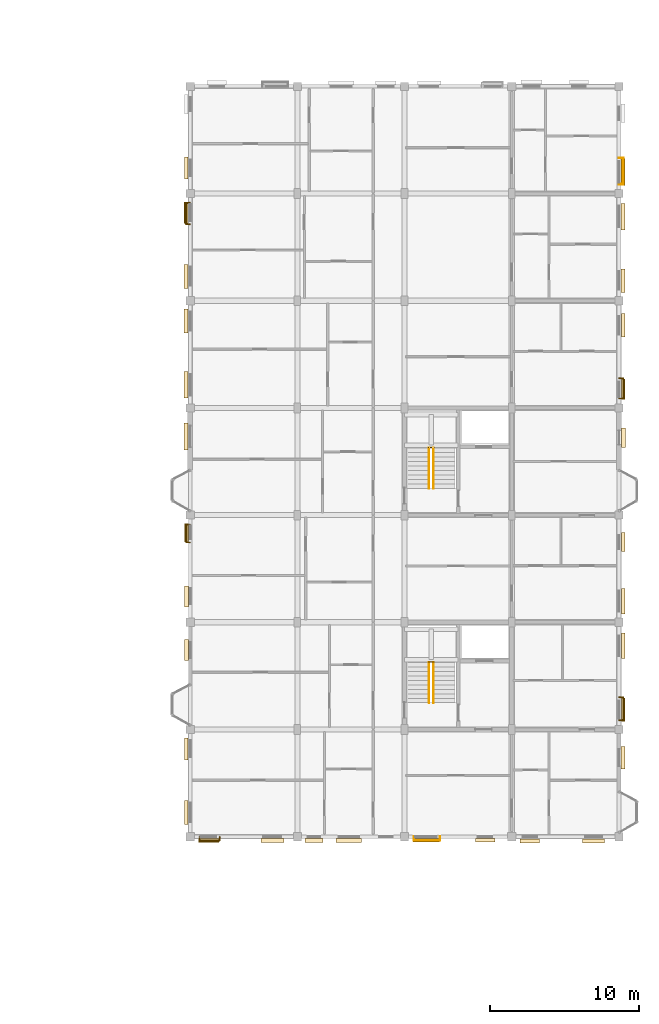
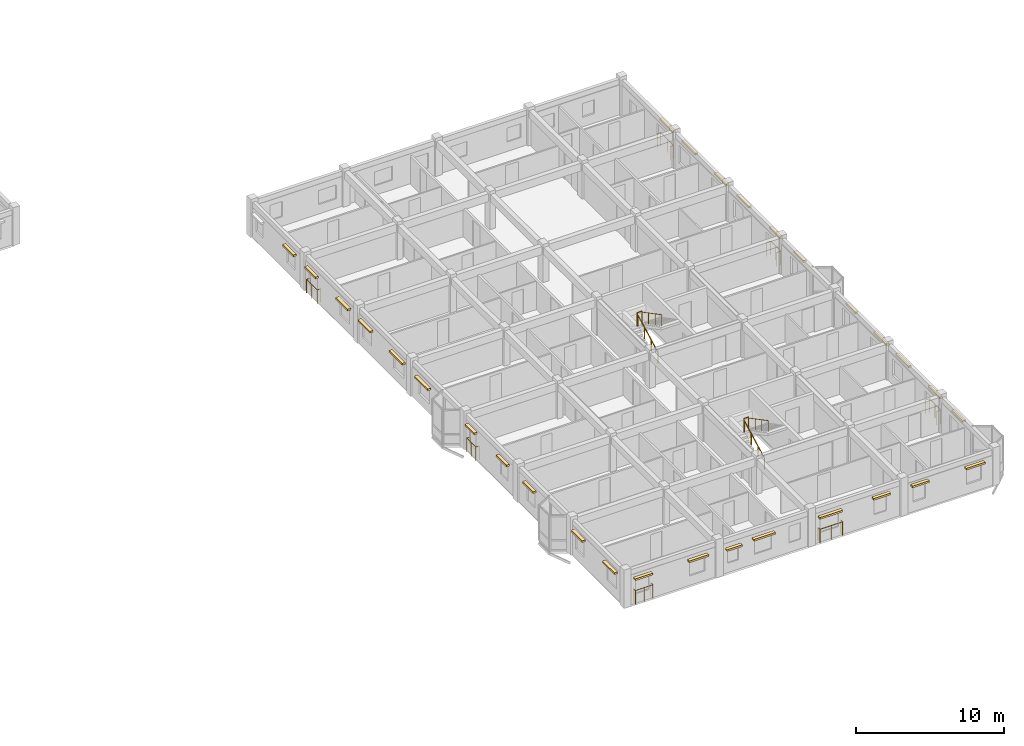
# One storey, part 76 of 79: 30 coverings, 13 railings.
"""IFC4 building model written with IfcOpenShell, lengths in metres."""

from ifc_helpers import new_model, si_unit, direction, frame, origin, origin_2d, place, context, subcontext, project, spatial, rectangle, circle, extrude, material, layer, layer_set, type_object, element, save


model = new_model("IFC4")

# Units and contexts
model_context = context("Model", 3, precision=1e-05, world=origin(), true_north=direction((0.0, 1.0)))
body_context = subcontext(model_context, "Body", "Model", "MODEL_VIEW")
ifc_project = project(units=[si_unit("LENGTHUNIT", "METRE"), si_unit("AREAUNIT", "SQUARE_METRE"), si_unit("VOLUMEUNIT", "CUBIC_METRE"), si_unit("PLANEANGLEUNIT", "RADIAN"), si_unit("MASSUNIT", "GRAM", prefix="KILO"), si_unit("THERMODYNAMICTEMPERATUREUNIT", "KELVIN"), si_unit("POWERUNIT", "WATT")], contexts=[model_context])

# Site, building, storey
site_placement = place(None, origin())
site = spatial("IfcSite", under=ifc_project, at=site_placement, CompositionType="ELEMENT")
building_placement = place(site_placement, origin())
building = spatial("IfcBuilding", under=site, at=building_placement, Name="Tavuni Mirador Residences", CompositionType="ELEMENT")
storey_placement = place(building_placement, frame((0.0, 0.0, 13.949951171875)))
storey = spatial("IfcBuildingStorey", under=building, at=storey_placement, Name="L04", CompositionType="ELEMENT", Elevation=13.949951171875)

# Coverings
ifc_material_1 = material(Name="Natural coral limestone", Category="masonry")
ifc_layer = layer(ifc_material_1, 0.054931640625, Name="Natural coral limestone", Category="masonry")
ifc_layer_set = layer_set([ifc_layer], Name="Natural coral limestone")
covering_type = type_object("IfcCoveringType", Name="CVT-CLAD-CORAL", PredefinedType="CLADDING", material=ifc_layer_set)
covering_1_placement = place(storey_placement, frame((91.2451171875, 86.140380859375, 2.065185546875), z_axis=(0.0, 0.0, 1.0), x_axis=(1.0, 0.0, 0.0)))
element("IfcCovering", 1, at=covering_1_placement, inside=storey, type_object=covering_type, Name="HOOD-0950", PredefinedType="CLADDING", context=body_context, shape_type="SweptSolid", body=[
    extrude(rectangle(XDim=1.3798828125, YDim=0.25, at=origin_2d()), origin(), (0.0, 0.0, 1.0), 0.14990234375),
])
covering_2_placement = place(storey_placement, frame((95.52490234375, 86.140380859375, 2.065185546875), z_axis=(0.0, 0.0, 1.0), x_axis=(1.0, 0.0, 0.0)))
element("IfcCovering", 2, at=covering_2_placement, inside=storey, type_object=covering_type, Name="HOOD-0951", PredefinedType="CLADDING", context=body_context, shape_type="SweptSolid", body=[
    extrude(rectangle(XDim=1.5400390625, YDim=0.25, at=origin_2d()), origin(), (0.0, 0.0, 1.0), 0.14990234375),
])
covering_3_placement = place(storey_placement, frame((98.3173828125, 86.150390625, 1.955078125), z_axis=(0.0, 0.0, 1.0), x_axis=(1.0, 0.0, 0.0)))
element("IfcCovering", 3, at=covering_3_placement, inside=storey, type_object=covering_type, Name="HOOD-0952", PredefinedType="CLADDING", context=body_context, shape_type="SweptSolid", body=[
    extrude(rectangle(XDim=1.18994140625, YDim=0.25, at=origin_2d()), origin(), (0.0, 0.0, 1.0), 0.14990234375),
])
covering_4_placement = place(storey_placement, frame((100.659912109375, 86.150390625, 2.065185546875), z_axis=(0.0, 0.0, 1.0), x_axis=(1.0, 0.0, 0.0)))
element("IfcCovering", 4, at=covering_4_placement, inside=storey, type_object=covering_type, Name="HOOD-0953", PredefinedType="CLADDING", context=body_context, shape_type="SweptSolid", body=[
    extrude(rectangle(XDim=1.699951171875, YDim=0.25, at=origin_2d()), origin(), (0.0, 0.0, 1.0), 0.14990234375),
])
covering_5_placement = place(storey_placement, frame((105.844970703125, 86.155517578125, 2.065185546875), z_axis=(0.0, 0.0, 1.0), x_axis=(1.0, 0.0, 0.0)))
element("IfcCovering", 5, at=covering_5_placement, inside=storey, type_object=covering_type, Name="HOOD-0954", PredefinedType="CLADDING", context=body_context, shape_type="SweptSolid", body=[
    extrude(rectangle(XDim=1.780029296875, YDim=0.25, at=origin_2d()), origin(), (0.0, 0.0, 1.0), 0.14990234375),
])
for number, where, z_axis, x_axis, name in (
    (6, (109.81494140625, 86.155517578125, 2.1650390625), (0.0, 0.0, 1.0), (1.0, 0.0, 0.0), "HOOD-0955"),
    (7, (112.81494140625, 86.113037109375, 2.1650390625), (0.0, 0.0, 1.0), (1.0, 0.0, 0.0), "HOOD-0956"),
):
    element("IfcCovering", number, at=place(storey_placement, frame(where, z_axis=z_axis, x_axis=x_axis)), inside=storey, type_object=covering_type, Name=name, PredefinedType="CLADDING", context=body_context, shape_type="SweptSolid", body=[
        extrude(rectangle(XDim=1.320068359375, YDim=0.25, at=origin_2d()), origin(), (0.0, 0.0, 1.0), 0.14990234375),
    ])
covering_6_placement = place(storey_placement, frame((117.094970703125, 86.113037109375, 2.1650390625), z_axis=(0.0, 0.0, 1.0), x_axis=(1.0, 0.0, 0.0)))
element("IfcCovering", 8, at=covering_6_placement, inside=storey, type_object=covering_type, Name="HOOD-0957", PredefinedType="CLADDING", context=body_context, shape_type="SweptSolid", body=[
    extrude(rectangle(XDim=1.47998046875, YDim=0.25, at=origin_2d()), origin(), (0.0, 0.0, 1.0), 0.14990234375),
])
covering_7_placement = place(storey_placement, frame((119.064453125, 91.70751953125, 2.16015625), z_axis=(0.0, 0.0, 1.0), x_axis=(0.0, 1.0, 0.0)))
element("IfcCovering", 9, at=covering_7_placement, inside=storey, type_object=covering_type, Name="HOOD-0958", PredefinedType="CLADDING", context=body_context, shape_type="SweptSolid", body=[
    extrude(rectangle(XDim=1.5, YDim=0.260009765625, at=origin_2d()), origin(), (0.0, 0.0, 1.0), 0.159912109375),
])
covering_8_placement = place(storey_placement, frame((119.094482421875, 94.93505859375, 2.1650390625), z_axis=(0.0, 0.0, 1.0), x_axis=(0.0, 1.0, 0.0)))
element("IfcCovering", 10, at=covering_8_placement, inside=storey, type_object=covering_type, Name="HOOD-0959", PredefinedType="CLADDING", context=body_context, shape_type="SweptSolid", body=[
    extrude(rectangle(XDim=1.56005859375, YDim=0.25, at=origin_2d()), origin(), (0.0, 0.0, 1.0), 0.14990234375),
])
for number, where, z_axis, x_axis, name in (
    (11, (119.094482421875, 99.215087890625, 2.1650390625), (0.0, 0.0, 1.0), (0.0, 1.0, 0.0), "HOOD-0960"),
    (12, (119.094482421875, 102.215087890625, 2.1650390625), (0.0, 0.0, 1.0), (0.0, 1.0, 0.0), "HOOD-0961"),
):
    element("IfcCovering", number, at=place(storey_placement, frame(where, z_axis=z_axis, x_axis=x_axis)), inside=storey, type_object=covering_type, Name=name, PredefinedType="CLADDING", context=body_context, shape_type="SweptSolid", body=[
        extrude(rectangle(XDim=1.719970703125, YDim=0.25, at=origin_2d()), origin(), (0.0, 0.0, 1.0), 0.14990234375),
    ])
covering_9_placement = place(storey_placement, frame((119.094482421875, 106.195068359375, 2.2451171875), z_axis=(0.0, 0.0, 1.0), x_axis=(0.0, 1.0, 0.0)))
element("IfcCovering", 13, at=covering_9_placement, inside=storey, type_object=covering_type, Name="HOOD-0962", PredefinedType="CLADDING", context=body_context, shape_type="SweptSolid", body=[
    extrude(rectangle(XDim=1.280029296875, YDim=0.25, at=origin_2d()), origin(), (0.0, 0.0, 1.0), 0.14990234375),
])
covering_10_placement = place(storey_placement, frame((119.099609375, 113.20751953125, 2.240234375), z_axis=(0.0, 0.0, 1.0), x_axis=(0.0, 1.0, 0.0)))
element("IfcCovering", 14, at=covering_10_placement, inside=storey, type_object=covering_type, Name="HOOD-0963", PredefinedType="CLADDING", context=body_context, shape_type="SweptSolid", body=[
    extrude(rectangle(XDim=1.300048828125, YDim=0.260009765625, at=origin_2d()), origin(), (0.0, 0.0, 1.0), 0.159912109375),
])
covering_11_placement = place(storey_placement, frame((119.094482421875, 116.449951171875, 2.2451171875), z_axis=(0.0, 0.0, 1.0), x_axis=(0.0, 1.0, 0.0)))
element("IfcCovering", 15, at=covering_11_placement, inside=storey, type_object=covering_type, Name="HOOD-0964", PredefinedType="CLADDING", context=body_context, shape_type="SweptSolid", body=[
    extrude(rectangle(XDim=1.389892578125, YDim=0.25, at=origin_2d()), origin(), (0.0, 0.0, 1.0), 0.14990234375),
])
for number, where, z_axis, x_axis, name in (
    (16, (119.094482421875, 120.75, 2.2451171875), (0.0, 0.0, 1.0), (0.0, 1.0, 0.0), "HOOD-0965"),
    (17, (119.074462890625, 123.75, 2.2451171875), (0.0, 0.0, 1.0), (0.0, 1.0, 0.0), "HOOD-0966"),
):
    element("IfcCovering", number, at=place(storey_placement, frame(where, z_axis=z_axis, x_axis=x_axis)), inside=storey, type_object=covering_type, Name=name, PredefinedType="CLADDING", context=body_context, shape_type="SweptSolid", body=[
        extrude(rectangle(XDim=1.590087890625, YDim=0.25, at=origin_2d()), origin(), (0.0, 0.0, 1.0), 0.14990234375),
    ])
for number, where, z_axis, x_axis, name in (
    (18, (119.074462890625, 128.050048828125, 2.2451171875), (0.0, 0.0, 1.0), (0.0, 1.0, 0.0), "HOOD-0967"),
    (19, (119.06689453125, 131.050048828125, 2.2451171875), (0.0, 0.0, 1.0), (0.0, 1.0, 0.0), "HOOD-0968"),
):
    element("IfcCovering", number, at=place(storey_placement, frame(where, z_axis=z_axis, x_axis=x_axis)), inside=storey, type_object=covering_type, Name=name, PredefinedType="CLADDING", context=body_context, shape_type="SweptSolid", body=[
        extrude(rectangle(XDim=1.7900390625, YDim=0.25, at=origin_2d()), origin(), (0.0, 0.0, 1.0), 0.14990234375),
    ])
for number, where, z_axis, x_axis, name in (
    (20, (89.73291015625, 131.31494140625, 2.065185546875), (0.0, 0.0, 1.0), (0.0, -1.0, 0.0), "HOOD-0979"),
    (21, (89.7255859375, 128.31494140625, 2.065185546875), (0.0, 0.0, 1.0), (0.0, -1.0, 0.0), "HOOD-0980"),
):
    element("IfcCovering", number, at=place(storey_placement, frame(where, z_axis=z_axis, x_axis=x_axis)), inside=storey, type_object=covering_type, Name=name, PredefinedType="CLADDING", context=body_context, shape_type="SweptSolid", body=[
        extrude(rectangle(XDim=1.4599609375, YDim=0.25, at=origin_2d()), origin(), (0.0, 0.0, 1.0), 0.14990234375),
    ])
for number, where, z_axis, x_axis, name in (
    (22, (89.7255859375, 124.034912109375, 2.065185546875), (0.0, 0.0, 1.0), (0.0, -1.0, 0.0), "HOOD-0981"),
    (23, (89.720458984375, 121.034912109375, 2.065185546875), (0.0, 0.0, 1.0), (0.0, -1.0, 0.0), "HOOD-0982"),
):
    element("IfcCovering", number, at=place(storey_placement, frame(where, z_axis=z_axis, x_axis=x_axis)), inside=storey, type_object=covering_type, Name=name, PredefinedType="CLADDING", context=body_context, shape_type="SweptSolid", body=[
        extrude(rectangle(XDim=1.6201171875, YDim=0.25, at=origin_2d()), origin(), (0.0, 0.0, 1.0), 0.14990234375),
    ])
covering_12_placement = place(storey_placement, frame((89.720458984375, 116.7548828125, 2.065185546875), z_axis=(0.0, 0.0, 1.0), x_axis=(0.0, -1.0, 0.0)))
element("IfcCovering", 24, at=covering_12_placement, inside=storey, type_object=covering_type, Name="HOOD-0983", PredefinedType="CLADDING", context=body_context, shape_type="SweptSolid", body=[
    extrude(rectangle(XDim=1.780029296875, YDim=0.25, at=origin_2d()), origin(), (0.0, 0.0, 1.0), 0.14990234375),
])
covering_13_placement = place(storey_placement, frame((89.7080078125, 113.282470703125, 2.06005859375), z_axis=(0.0, 0.0, 1.0), x_axis=(0.0, -1.0, 0.0)))
element("IfcCovering", 25, at=covering_13_placement, inside=storey, type_object=covering_type, Name="HOOD-0984", PredefinedType="CLADDING", context=body_context, shape_type="SweptSolid", body=[
    extrude(rectangle(XDim=1.800048828125, YDim=0.260009765625, at=origin_2d()), origin(), (0.0, 0.0, 1.0), 0.159912109375),
])
covering_14_placement = place(storey_placement, frame((89.755615234375, 106.824951171875, 2.1650390625), z_axis=(0.0, 0.0, 1.0), x_axis=(0.0, -1.0, 0.0)))
element("IfcCovering", 26, at=covering_14_placement, inside=storey, type_object=covering_type, Name="HOOD-0985", PredefinedType="CLADDING", context=body_context, shape_type="SweptSolid", body=[
    extrude(rectangle(XDim=1.239990234375, YDim=0.25, at=origin_2d()), origin(), (0.0, 0.0, 1.0), 0.14990234375),
])
covering_15_placement = place(storey_placement, frame((89.755615234375, 102.544921875, 2.1650390625), z_axis=(0.0, 0.0, 1.0), x_axis=(0.0, -1.0, 0.0)))
element("IfcCovering", 27, at=covering_15_placement, inside=storey, type_object=covering_type, Name="HOOD-0986", PredefinedType="CLADDING", context=body_context, shape_type="SweptSolid", body=[
    extrude(rectangle(XDim=1.39990234375, YDim=0.25, at=origin_2d()), origin(), (0.0, 0.0, 1.0), 0.14990234375),
])
covering_16_placement = place(storey_placement, frame((89.74560546875, 98.9326171875, 2.16015625), z_axis=(0.0, 0.0, 1.0), x_axis=(0.0, -1.0, 0.0)))
element("IfcCovering", 28, at=covering_16_placement, inside=storey, type_object=covering_type, Name="HOOD-0987", PredefinedType="CLADDING", context=body_context, shape_type="SweptSolid", body=[
    extrude(rectangle(XDim=1.419921875, YDim=0.260009765625, at=origin_2d()), origin(), (0.0, 0.0, 1.0), 0.159912109375),
])
covering_17_placement = place(storey_placement, frame((89.740478515625, 92.304931640625, 2.1650390625), z_axis=(0.0, 0.0, 1.0), x_axis=(0.0, -1.0, 0.0)))
element("IfcCovering", 29, at=covering_17_placement, inside=storey, type_object=covering_type, Name="HOOD-0988", PredefinedType="CLADDING", context=body_context, shape_type="SweptSolid", body=[
    extrude(rectangle(XDim=1.47998046875, YDim=0.25, at=origin_2d()), origin(), (0.0, 0.0, 1.0), 0.14990234375),
])
covering_18_placement = place(storey_placement, frame((89.740478515625, 88.02490234375, 2.1650390625), z_axis=(0.0, 0.0, 1.0), x_axis=(0.0, -1.0, 0.0)))
element("IfcCovering", 30, at=covering_18_placement, inside=storey, type_object=covering_type, Name="HOOD-0989", PredefinedType="CLADDING", context=body_context, shape_type="SweptSolid", body=[
    extrude(rectangle(XDim=1.639892578125, YDim=0.25, at=origin_2d()), origin(), (0.0, 0.0, 1.0), 0.14990234375),
])

# Railings
ifc_material_2 = material(Name="Structural steel S355", Category="steel")
railing_type_1 = type_object("IfcRailingType", Name="RT-BL1150", PredefinedType="BALUSTRADE", material=ifc_material_2)
railing_1_placement = place(storey_placement, frame((90.625, 86.39990234375, 0.0400390625)))
element("IfcRailing", 31, at=railing_1_placement, inside=storey, type_object=railing_type_1, Name="BALC-BLK-D-L04-S00", PredefinedType="BALUSTRADE", context=body_context, shape_type="SweptSolid", body=[
    extrude(circle(Radius=0.02392578125, at=origin_2d()), frame((0.0, 0.0, 1.1259765625), z_axis=(0.0, -1.0, 0.0), x_axis=(1.0, 0.0, 0.0)), (0.0, 0.0, 1.0), 0.27734375),
    extrude(circle(Radius=0.02392578125, at=origin_2d()), frame((0.0, -0.27734375, 1.1259765625), z_axis=(1.0, 0.0, 0.0), x_axis=(0.0, 1.0, 0.0)), (0.0, 0.0, 1.0), 1.360107421875),
    extrude(circle(Radius=0.02392578125, at=origin_2d()), frame((1.360107421875, -0.27734375, 1.1259765625), z_axis=(0.0, 1.0, 0.0), x_axis=(-1.0, 0.0, 0.0)), (0.0, 0.0, 1.0), 0.27734375),
    extrude(circle(Radius=0.02099609375, at=origin_2d()), origin(), (0.0, 0.0, 1.0), 1.101806640625),
    extrude(circle(Radius=0.02099609375, at=origin_2d()), frame((0.0, -0.27734375, 0.0)), (0.0, 0.0, 1.0), 1.101806640625),
    extrude(circle(Radius=0.02099609375, at=origin_2d()), frame((0.68017578125, -0.27734375, 0.0)), (0.0, 0.0, 1.0), 1.101806640625),
    extrude(circle(Radius=0.02099609375, at=origin_2d()), frame((1.360107421875, -0.27734375, 0.0)), (0.0, 0.0, 1.0), 1.101806640625),
    extrude(circle(Radius=0.02099609375, at=origin_2d()), frame((1.360107421875, 0.0, 0.0)), (0.0, 0.0, 1.0), 1.101806640625),
])
railing_2_placement = place(storey_placement, frame((105.02490234375, 86.39990234375, 0.0400390625)))
element("IfcRailing", 32, at=railing_2_placement, inside=storey, type_object=railing_type_1, Name="BALC-BLK-D-L04-S02", PredefinedType="BALUSTRADE", context=body_context, shape_type="SweptSolid", body=[
    extrude(circle(Radius=0.02392578125, at=origin_2d()), frame((0.0, 0.0, 1.1259765625), z_axis=(0.0, -1.0, 0.0), x_axis=(1.0, 0.0, 0.0)), (0.0, 0.0, 1.0), 0.262451171875),
    extrude(circle(Radius=0.02392578125, at=origin_2d()), frame((0.0, -0.262451171875, 1.1259765625), z_axis=(1.0, 0.0, 0.0), x_axis=(0.0, 1.0, 0.0)), (0.0, 0.0, 1.0), 1.760009765625),
    extrude(circle(Radius=0.02392578125, at=origin_2d()), frame((1.760009765625, -0.262451171875, 1.1259765625), z_axis=(0.0, 1.0, 0.0), x_axis=(-1.0, 0.0, 0.0)), (0.0, 0.0, 1.0), 0.262451171875),
    extrude(circle(Radius=0.02099609375, at=origin_2d()), origin(), (0.0, 0.0, 1.0), 1.101806640625),
    extrude(circle(Radius=0.02099609375, at=origin_2d()), frame((0.0, -0.262451171875, 0.0)), (0.0, 0.0, 1.0), 1.101806640625),
    extrude(circle(Radius=0.02099609375, at=origin_2d()), frame((0.8798828125, -0.262451171875, 0.0)), (0.0, 0.0, 1.0), 1.101806640625),
    extrude(circle(Radius=0.02099609375, at=origin_2d()), frame((1.760009765625, -0.262451171875, 0.0)), (0.0, 0.0, 1.0), 1.101806640625),
    extrude(circle(Radius=0.02099609375, at=origin_2d()), frame((1.760009765625, 0.0, 0.0)), (0.0, 0.0, 1.0), 1.101806640625),
])
railing_3_placement = place(storey_placement, frame((118.800048828125, 94.22509765625, 0.0400390625)))
element("IfcRailing", 33, at=railing_3_placement, inside=storey, type_object=railing_type_1, Name="BALC-BLK-D-L04-E01", PredefinedType="BALUSTRADE", context=body_context, shape_type="SweptSolid", body=[
    extrude(circle(Radius=0.02392578125, at=origin_2d()), frame((0.0, 0.0, 1.1259765625), z_axis=(1.0, 0.0, 0.0), x_axis=(0.0, 1.0, 0.0)), (0.0, 0.0, 1.0), 0.3125),
    extrude(circle(Radius=0.02392578125, at=origin_2d()), frame((0.3125, 0.0, 1.1259765625), z_axis=(0.0, 1.0, 0.0), x_axis=(-1.0, 0.0, 0.0)), (0.0, 0.0, 1.0), 1.539794921875),
    extrude(circle(Radius=0.02392578125, at=origin_2d()), frame((0.3125, 1.539794921875, 1.1259765625), z_axis=(-1.0, 0.0, 0.0), x_axis=(0.0, -1.0, 0.0)), (0.0, 0.0, 1.0), 0.3125),
    extrude(circle(Radius=0.02099609375, at=origin_2d()), origin(), (0.0, 0.0, 1.0), 1.101806640625),
    extrude(circle(Radius=0.02099609375, at=origin_2d()), frame((0.3125, 0.0, 0.0)), (0.0, 0.0, 1.0), 1.101806640625),
    extrude(circle(Radius=0.02099609375, at=origin_2d()), frame((0.3125, 0.77001953125, 0.0)), (0.0, 0.0, 1.0), 1.101806640625),
    extrude(circle(Radius=0.02099609375, at=origin_2d()), frame((0.3125, 1.539794921875, 0.0)), (0.0, 0.0, 1.0), 1.101806640625),
    extrude(circle(Radius=0.02099609375, at=origin_2d()), frame((0.0, 1.539794921875, 0.0)), (0.0, 0.0, 1.0), 1.101806640625),
])
railing_4_placement = place(storey_placement, frame((118.800048828125, 115.824951171875, 0.0400390625)))
element("IfcRailing", 34, at=railing_4_placement, inside=storey, type_object=railing_type_1, Name="BALC-BLK-D-L04-E04", PredefinedType="BALUSTRADE", context=body_context, shape_type="SweptSolid", body=[
    extrude(circle(Radius=0.02392578125, at=origin_2d()), frame((0.0, 0.0, 1.1259765625), z_axis=(1.0, 0.0, 0.0), x_axis=(0.0, 1.0, 0.0)), (0.0, 0.0, 1.0), 0.3125),
    extrude(circle(Radius=0.02392578125, at=origin_2d()), frame((0.3125, 0.0, 1.1259765625), z_axis=(0.0, 1.0, 0.0), x_axis=(-1.0, 0.0, 0.0)), (0.0, 0.0, 1.0), 1.3701171875),
    extrude(circle(Radius=0.02392578125, at=origin_2d()), frame((0.3125, 1.3701171875, 1.1259765625), z_axis=(-1.0, 0.0, 0.0), x_axis=(0.0, -1.0, 0.0)), (0.0, 0.0, 1.0), 0.3125),
    extrude(circle(Radius=0.02099609375, at=origin_2d()), origin(), (0.0, 0.0, 1.0), 1.101806640625),
    extrude(circle(Radius=0.02099609375, at=origin_2d()), frame((0.3125, 0.0, 0.0)), (0.0, 0.0, 1.0), 1.101806640625),
    extrude(circle(Radius=0.02099609375, at=origin_2d()), frame((0.3125, 0.68505859375, 0.0)), (0.0, 0.0, 1.0), 1.101806640625),
    extrude(circle(Radius=0.02099609375, at=origin_2d()), frame((0.3125, 1.3701171875, 0.0)), (0.0, 0.0, 1.0), 1.101806640625),
    extrude(circle(Radius=0.02099609375, at=origin_2d()), frame((0.0, 1.3701171875, 0.0)), (0.0, 0.0, 1.0), 1.101806640625),
])
railing_5_placement = place(storey_placement, frame((118.800048828125, 130.22509765625, 0.0400390625)))
element("IfcRailing", 35, at=railing_5_placement, inside=storey, type_object=railing_type_1, Name="BALC-BLK-D-L04-E06", PredefinedType="BALUSTRADE", context=body_context, shape_type="SweptSolid", body=[
    extrude(circle(Radius=0.02392578125, at=origin_2d()), frame((0.0, 0.0, 1.1259765625), z_axis=(1.0, 0.0, 0.0), x_axis=(0.0, 1.0, 0.0)), (0.0, 0.0, 1.0), 0.284912109375),
    extrude(circle(Radius=0.02392578125, at=origin_2d()), frame((0.284912109375, 0.0, 1.1259765625), z_axis=(0.0, 1.0, 0.0), x_axis=(-1.0, 0.0, 0.0)), (0.0, 0.0, 1.0), 1.77001953125),
    extrude(circle(Radius=0.02392578125, at=origin_2d()), frame((0.284912109375, 1.77001953125, 1.1259765625), z_axis=(-1.0, 0.0, 0.0), x_axis=(0.0, -1.0, 0.0)), (0.0, 0.0, 1.0), 0.284912109375),
    extrude(circle(Radius=0.02099609375, at=origin_2d()), origin(), (0.0, 0.0, 1.0), 1.101806640625),
    extrude(circle(Radius=0.02099609375, at=origin_2d()), frame((0.284912109375, 0.0, 0.0)), (0.0, 0.0, 1.0), 1.101806640625),
    extrude(circle(Radius=0.02099609375, at=origin_2d()), frame((0.284912109375, 0.885009765625, 0.0)), (0.0, 0.0, 1.0), 1.101806640625),
    extrude(circle(Radius=0.02099609375, at=origin_2d()), frame((0.284912109375, 1.77001953125, 0.0)), (0.0, 0.0, 1.0), 1.101806640625),
    extrude(circle(Radius=0.02099609375, at=origin_2d()), frame((0.0, 1.77001953125, 0.0)), (0.0, 0.0, 1.0), 1.101806640625),
])
railing_6_placement = place(storey_placement, frame((90.0, 128.97509765625, 0.0400390625)))
element("IfcRailing", 36, at=railing_6_placement, inside=storey, type_object=railing_type_1, Name="BALC-BLK-D-L04-W05", PredefinedType="BALUSTRADE", context=body_context, shape_type="SweptSolid", body=[
    extrude(circle(Radius=0.02392578125, at=origin_2d()), frame((0.0, 0.0, 1.1259765625), z_axis=(-1.0, 0.0, 0.0), x_axis=(0.0, -1.0, 0.0)), (0.0, 0.0, 1.0), 0.29248046875),
    extrude(circle(Radius=0.02392578125, at=origin_2d()), frame((-0.29248046875, 0.0, 1.1259765625), z_axis=(0.0, -1.0, 0.0), x_axis=(1.0, 0.0, 0.0)), (0.0, 0.0, 1.0), 1.440185546875),
    extrude(circle(Radius=0.02392578125, at=origin_2d()), frame((-0.29248046875, -1.440185546875, 1.1259765625), z_axis=(1.0, 0.0, 0.0), x_axis=(0.0, 1.0, 0.0)), (0.0, 0.0, 1.0), 0.29248046875),
    extrude(circle(Radius=0.02099609375, at=origin_2d()), origin(), (0.0, 0.0, 1.0), 1.101806640625),
    extrude(circle(Radius=0.02099609375, at=origin_2d()), frame((-0.29248046875, 0.0, 0.0)), (0.0, 0.0, 1.0), 1.101806640625),
    extrude(circle(Radius=0.02099609375, at=origin_2d()), frame((-0.29248046875, -0.72021484375, 0.0)), (0.0, 0.0, 1.0), 1.101806640625),
    extrude(circle(Radius=0.02099609375, at=origin_2d()), frame((-0.29248046875, -1.440185546875, 0.0)), (0.0, 0.0, 1.0), 1.101806640625),
    extrude(circle(Radius=0.02099609375, at=origin_2d()), frame((0.0, -1.440185546875, 0.0)), (0.0, 0.0, 1.0), 1.101806640625),
])
railing_7_placement = place(storey_placement, frame((90.0, 107.375, 0.0400390625)))
element("IfcRailing", 37, at=railing_7_placement, inside=storey, type_object=railing_type_1, Name="BALC-BLK-D-L04-W02", PredefinedType="BALUSTRADE", context=body_context, shape_type="SweptSolid", body=[
    extrude(circle(Radius=0.02392578125, at=origin_2d()), frame((0.0, 0.0, 1.1259765625), z_axis=(-1.0, 0.0, 0.0), x_axis=(0.0, -1.0, 0.0)), (0.0, 0.0, 1.0), 0.262451171875),
    extrude(circle(Radius=0.02392578125, at=origin_2d()), frame((-0.262451171875, 0.0, 1.1259765625), z_axis=(0.0, -1.0, 0.0), x_axis=(1.0, 0.0, 0.0)), (0.0, 0.0, 1.0), 1.219970703125),
    extrude(circle(Radius=0.02392578125, at=origin_2d()), frame((-0.262451171875, -1.219970703125, 1.1259765625), z_axis=(1.0, 0.0, 0.0), x_axis=(0.0, 1.0, 0.0)), (0.0, 0.0, 1.0), 0.262451171875),
    extrude(circle(Radius=0.02099609375, at=origin_2d()), origin(), (0.0, 0.0, 1.0), 1.101806640625),
    extrude(circle(Radius=0.02099609375, at=origin_2d()), frame((-0.262451171875, 0.0, 0.0)), (0.0, 0.0, 1.0), 1.101806640625),
    extrude(circle(Radius=0.02099609375, at=origin_2d()), frame((-0.262451171875, -0.60986328125, 0.0)), (0.0, 0.0, 1.0), 1.101806640625),
    extrude(circle(Radius=0.02099609375, at=origin_2d()), frame((-0.262451171875, -1.219970703125, 0.0)), (0.0, 0.0, 1.0), 1.101806640625),
    extrude(circle(Radius=0.02099609375, at=origin_2d()), frame((0.0, -1.219970703125, 0.0)), (0.0, 0.0, 1.0), 1.101806640625),
])
railing_type_2 = type_object("IfcRailingType", Name="RT-GR1120", PredefinedType="GUARDRAIL", material=ifc_material_2)
for number, where, name in (
    (38, (106.02001953125, 98.139892578125, 1.574951171875), "GRD-HL-ST7-L04"),
    (39, (106.02001953125, 112.5400390625, 1.574951171875), "GRD-HL-ST8-L04"),
):
    element("IfcRailing", number, at=place(storey_placement, frame(where)), inside=storey, type_object=railing_type_2, Name=name, PredefinedType="GUARDRAIL", context=body_context, shape_type="SweptSolid", body=[
        extrude(circle(Radius=0.02392578125, at=origin_2d()), frame((0.0, 0.0, 1.09619140625), z_axis=(1.0, 0.0, 0.0), x_axis=(0.0, 1.0, 0.0)), (0.0, 0.0, 1.0), 0.35986328125),
        extrude(circle(Radius=0.02099609375, at=origin_2d()), origin(), (0.0, 0.0, 1.0), 1.072021484375),
        extrude(circle(Radius=0.02099609375, at=origin_2d()), frame((0.35986328125, 0.0, 0.0)), (0.0, 0.0, 1.0), 1.072021484375),
    ])
railing_type_3 = type_object("IfcRailingType", Name="RT-HR920", PredefinedType="HANDRAIL", material=ifc_material_2)
railing_8_placement = place(storey_placement, frame((106.050048828125, 95.39990234375, 0.157470703125)))
element("IfcRailing", 40, at=railing_8_placement, inside=storey, type_object=railing_type_3, Name="HR-ST7-L04-F1", PredefinedType="HANDRAIL", context=body_context, shape_type="SweptSolid", body=[
    extrude(circle(Radius=0.02392578125, at=origin_2d()), frame((0.0, 0.0, 0.89599609375), z_axis=(0.0, 0.885414376231, 0.464802519747), x_axis=(-1.0, 0.0, 0.0)), (0.0, 0.0, 1.0), 3.049560546875),
    extrude(circle(Radius=0.02099609375, at=origin_2d()), origin(), (0.0, 0.0, 1.0), 0.871826171875),
    extrude(circle(Radius=0.02099609375, at=origin_2d()), frame((0.0, 0.900146484375, 0.472412109375)), (0.0, 0.0, 1.0), 0.871826171875),
    extrude(circle(Radius=0.02099609375, at=origin_2d()), frame((0.0, 1.800048828125, 0.945068359375)), (0.0, 0.0, 1.0), 0.871826171875),
    extrude(circle(Radius=0.02099609375, at=origin_2d()), frame((0.0, 2.7001953125, 1.41748046875)), (0.0, 0.0, 1.0), 0.871826171875),
])
railing_9_placement = place(storey_placement, frame((106.35009765625, 98.10009765625, 1.732666015625)))
element("IfcRailing", 41, at=railing_9_placement, inside=storey, type_object=railing_type_3, Name="HR-ST7-L04-F2", PredefinedType="HANDRAIL", context=body_context, shape_type="SweptSolid", body=[
    extrude(circle(Radius=0.02392578125, at=origin_2d()), frame((0.0, 0.0, 0.89599609375), z_axis=(0.0, -0.885414376231, 0.464802519747), x_axis=(1.0, 0.0, 0.0)), (0.0, 0.0, 1.0), 3.049560546875),
    extrude(circle(Radius=0.02099609375, at=origin_2d()), origin(), (0.0, 0.0, 1.0), 0.871826171875),
    extrude(circle(Radius=0.02099609375, at=origin_2d()), frame((0.0, -0.900146484375, 0.472412109375)), (0.0, 0.0, 1.0), 0.871826171875),
    extrude(circle(Radius=0.02099609375, at=origin_2d()), frame((0.0, -1.800048828125, 0.945068359375)), (0.0, 0.0, 1.0), 0.871826171875),
    extrude(circle(Radius=0.02099609375, at=origin_2d()), frame((0.0, -2.7001953125, 1.41748046875)), (0.0, 0.0, 1.0), 0.871826171875),
])
railing_10_placement = place(storey_placement, frame((106.050048828125, 109.800048828125, 0.157470703125)))
element("IfcRailing", 42, at=railing_10_placement, inside=storey, type_object=railing_type_3, Name="HR-ST8-L04-F1", PredefinedType="HANDRAIL", context=body_context, shape_type="SweptSolid", body=[
    extrude(circle(Radius=0.02392578125, at=origin_2d()), frame((0.0, 0.0, 0.89599609375), z_axis=(0.0, 0.885397079081, 0.464835468048), x_axis=(-1.0, 0.0, 0.0)), (0.0, 0.0, 1.0), 3.04931640625),
    extrude(circle(Radius=0.02099609375, at=origin_2d()), origin(), (0.0, 0.0, 1.0), 0.871826171875),
    extrude(circle(Radius=0.02099609375, at=origin_2d()), frame((0.0, 0.89990234375, 0.472412109375)), (0.0, 0.0, 1.0), 0.871826171875),
    extrude(circle(Radius=0.02099609375, at=origin_2d()), frame((0.0, 1.800048828125, 0.945068359375)), (0.0, 0.0, 1.0), 0.871826171875),
    extrude(circle(Radius=0.02099609375, at=origin_2d()), frame((0.0, 2.699951171875, 1.41748046875)), (0.0, 0.0, 1.0), 0.871826171875),
])
railing_11_placement = place(storey_placement, frame((106.35009765625, 112.5, 1.732666015625)))
element("IfcRailing", 43, at=railing_11_placement, inside=storey, type_object=railing_type_3, Name="HR-ST8-L04-F2", PredefinedType="HANDRAIL", context=body_context, shape_type="SweptSolid", body=[
    extrude(circle(Radius=0.02392578125, at=origin_2d()), frame((0.0, 0.0, 0.89599609375), z_axis=(0.0, -0.885397079081, 0.464835468048), x_axis=(1.0, 0.0, 0.0)), (0.0, 0.0, 1.0), 3.04931640625),
    extrude(circle(Radius=0.02099609375, at=origin_2d()), origin(), (0.0, 0.0, 1.0), 0.871826171875),
    extrude(circle(Radius=0.02099609375, at=origin_2d()), frame((0.0, -0.89990234375, 0.472412109375)), (0.0, 0.0, 1.0), 0.871826171875),
    extrude(circle(Radius=0.02099609375, at=origin_2d()), frame((0.0, -1.800048828125, 0.945068359375)), (0.0, 0.0, 1.0), 0.871826171875),
    extrude(circle(Radius=0.02099609375, at=origin_2d()), frame((0.0, -2.699951171875, 1.41748046875)), (0.0, 0.0, 1.0), 0.871826171875),
])

save(model, "model.ifc")
